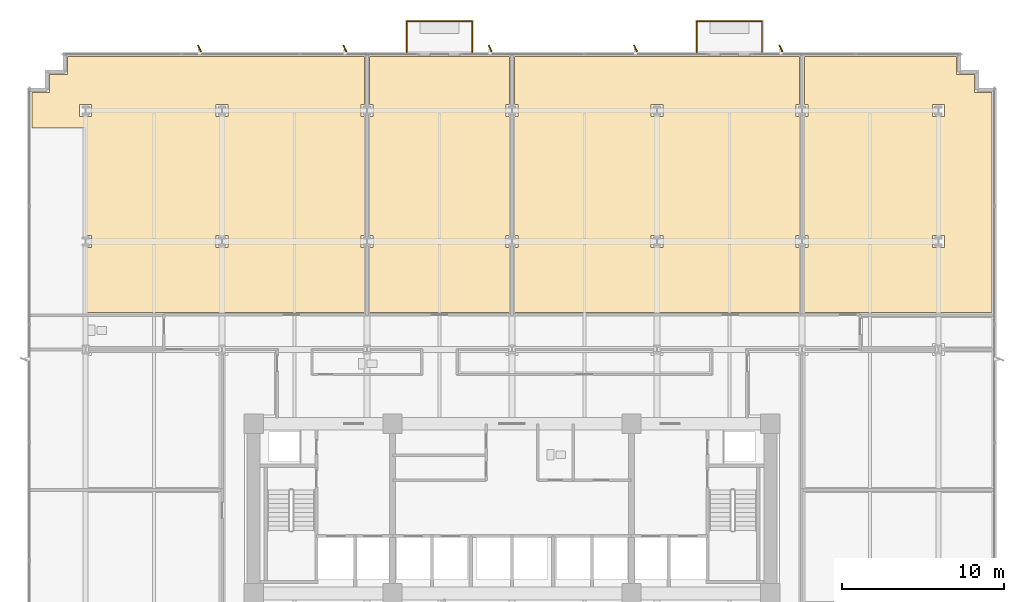
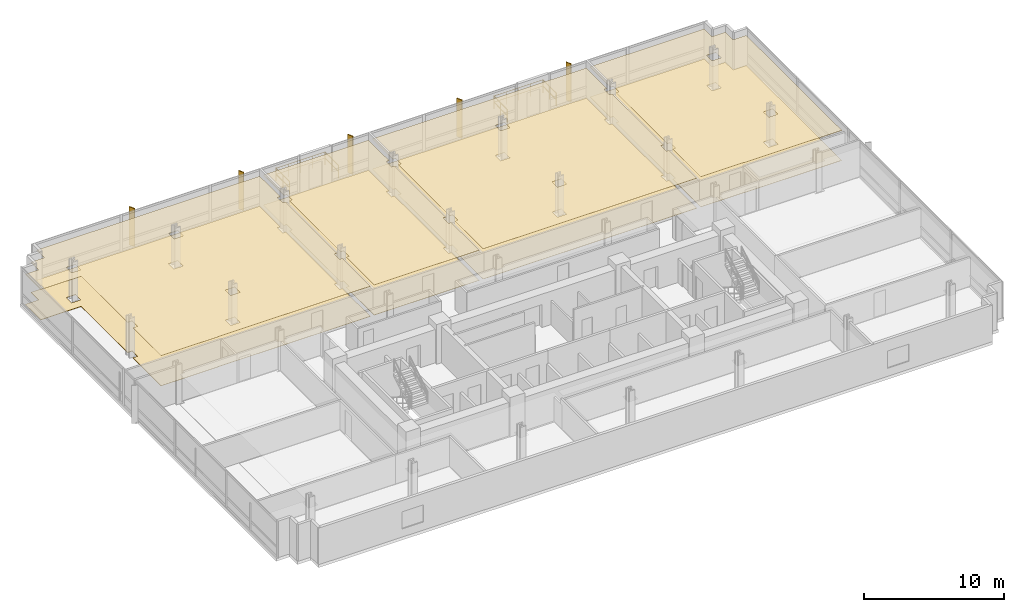
# One storey, part 13 of 14: 8 coverings, 6 railings, 5 shading devices.
"""IFC4 building model written with IfcOpenShell, lengths in metres."""

from ifc_helpers import new_model, si_unit, direction, frame, origin, origin_2d, place, context, subcontext, project, spatial, polyline, rectangle, circle, outline, extrude, material, layer, layer_set, type_object, element, save


model = new_model("IFC4")

# Units and contexts
model_context = context("Model", 3, precision=1e-05, world=origin(), true_north=direction((0.0, 1.0)))
body_context = subcontext(model_context, "Body", "Model", "MODEL_VIEW")
ifc_project = project(units=[si_unit("LENGTHUNIT", "METRE"), si_unit("AREAUNIT", "SQUARE_METRE"), si_unit("VOLUMEUNIT", "CUBIC_METRE"), si_unit("PLANEANGLEUNIT", "RADIAN"), si_unit("MASSUNIT", "GRAM", prefix="KILO")], contexts=[model_context])

# Site, building, storey
site_placement = place(None, origin())
site = spatial("IfcSite", under=ifc_project, at=site_placement, CompositionType="ELEMENT")
building_placement = place(site_placement, origin())
building = spatial("IfcBuilding", under=site, at=building_placement, Name="Solmavex Isthmus Hotel", CompositionType="ELEMENT")
storey_placement = place(building_placement, frame((0.0, 0.0, 50.550048828125)))
storey = spatial("IfcBuildingStorey", under=building, at=storey_placement, Name="L13", CompositionType="ELEMENT", Elevation=50.550048828125)

# Coverings
ifc_material_1 = material(Name="Gypsum plasterboard lining", Category="gypsum")
ifc_layer_1 = layer(ifc_material_1, 0.030029296875)
ifc_layer_set_1 = layer_set([ifc_layer_1], Name="Gypsum plasterboard lining")
covering_type_1 = type_object("IfcCoveringType", Name="COV-CEIL-GYP", PredefinedType="CEILING", material=ifc_layer_set_1)
covering_1_placement = place(storey_placement, frame((0.0, 0.0, 2.619873046875)))
element("IfcCovering", 1, at=covering_1_placement, inside=storey, type_object=covering_type_1, Name="Suspended Acoustic Ceiling L13-RM01", PredefinedType="CEILING", context=body_context, shape_type="SweptSolid", body=[
    extrude(outline(polyline([(-21.70703125, 4.385009765625), (-21.70703125, 4.405029296875), (-9.131103515625, 4.405029296875), (-9.131103515625, 8.407958984375), (-9.35595703125, 8.407958984375), (-9.35595703125, 9.16796875), (-9.131103515625, 9.16796875), (-9.131103515625, 16.52001953125), (-9.35595703125, 16.52001953125), (-9.35595703125, 17.280029296875), (-9.131103515625, 17.280029296875), (-9.131103515625, 20.22509765625), (-27.52490234375, 20.22509765625), (-27.52490234375, 19.125), (-28.625, 19.125), (-28.625, 18.02490234375), (-29.72509765625, 18.02490234375), (-29.72509765625, 15.800048828125), (-26.39990234375, 15.800048828125), (-26.39990234375, 9.16796875), (-26.02001953125, 9.16796875), (-26.02001953125, 8.407958984375), (-26.39990234375, 8.407958984375), (-26.39990234375, 4.385009765625), (-21.70703125, 4.385009765625)]), holes=[polyline([(-18.33203125, 8.407958984375), (-18.33203125, 9.16796875), (-17.572021484375, 9.16796875), (-17.572021484375, 8.407958984375), (-18.33203125, 8.407958984375)]), polyline([(-18.33203125, 17.280029296875), (-17.572021484375, 17.280029296875), (-17.572021484375, 16.52001953125), (-18.33203125, 16.52001953125), (-18.33203125, 17.280029296875)]), polyline([(-26.780029296875, 17.280029296875), (-26.02001953125, 17.280029296875), (-26.02001953125, 16.52001953125), (-26.780029296875, 16.52001953125), (-26.780029296875, 17.280029296875)])]), origin(), (0.0, 0.0, 1.0), 0.030029296875),
])
covering_2_placement = place(storey_placement, frame((0.0, 0.0, 2.619873046875)))
element("IfcCovering", 2, at=covering_2_placement, inside=storey, type_object=covering_type_1, Name="Suspended Acoustic Ceiling L13-RM02", PredefinedType="CEILING", context=body_context, shape_type="SweptSolid", body=[
    extrude(outline(polyline([(-8.821044921875, 9.16796875), (-8.595947265625, 9.16796875), (-8.595947265625, 8.407958984375), (-8.821044921875, 8.407958984375), (-8.821044921875, 4.405029296875), (-0.155029296875, 4.405029296875), (-0.155029296875, 8.407958984375), (-0.3798828125, 8.407958984375), (-0.3798828125, 9.16796875), (-0.155029296875, 9.16796875), (-0.155029296875, 16.52001953125), (-0.3798828125, 16.52001953125), (-0.3798828125, 17.280029296875), (-0.155029296875, 17.280029296875), (-0.155029296875, 20.22509765625), (-8.821044921875, 20.22509765625), (-8.821044921875, 17.280029296875), (-8.595947265625, 17.280029296875), (-8.595947265625, 16.52001953125), (-8.821044921875, 16.52001953125), (-8.821044921875, 9.16796875)])), origin(), (0.0, 0.0, 1.0), 0.030029296875),
])
covering_3_placement = place(storey_placement, frame((0.0, 0.0, 2.619873046875)))
element("IfcCovering", 3, at=covering_3_placement, inside=storey, type_object=covering_type_1, Name="Suspended Acoustic Ceiling L13-RM03", PredefinedType="CEILING", context=body_context, shape_type="SweptSolid", body=[
    extrude(outline(polyline([(0.155029296875, 9.16796875), (0.3798828125, 9.16796875), (0.3798828125, 8.407958984375), (0.155029296875, 8.407958984375), (0.155029296875, 4.405029296875), (17.797119140625, 4.405029296875), (17.797119140625, 8.407958984375), (17.572021484375, 8.407958984375), (17.572021484375, 9.16796875), (17.797119140625, 9.16796875), (17.797119140625, 16.52001953125), (17.572021484375, 16.52001953125), (17.572021484375, 17.280029296875), (17.797119140625, 17.280029296875), (17.797119140625, 20.22509765625), (0.155029296875, 20.22509765625), (0.155029296875, 17.280029296875), (0.3798828125, 17.280029296875), (0.3798828125, 16.52001953125), (0.155029296875, 16.52001953125), (0.155029296875, 9.16796875)]), holes=[polyline([(8.595947265625, 8.407958984375), (8.595947265625, 9.16796875), (9.35595703125, 9.16796875), (9.35595703125, 8.407958984375), (8.595947265625, 8.407958984375)]), polyline([(8.595947265625, 17.280029296875), (9.35595703125, 17.280029296875), (9.35595703125, 16.52001953125), (8.595947265625, 16.52001953125), (8.595947265625, 17.280029296875)])]), origin(), (0.0, 0.0, 1.0), 0.030029296875),
])
covering_4_placement = place(storey_placement, frame((0.0, 0.0, 2.619873046875)))
element("IfcCovering", 4, at=covering_4_placement, inside=storey, type_object=covering_type_1, Name="Suspended Acoustic Ceiling L13-RM04", PredefinedType="CEILING", context=body_context, shape_type="SweptSolid", body=[
    extrude(outline(polyline([(18.10693359375, 9.16796875), (18.33203125, 9.16796875), (18.33203125, 8.407958984375), (18.10693359375, 8.407958984375), (18.10693359375, 4.405029296875), (21.70703125, 4.405029296875), (21.70703125, 4.385009765625), (29.72509765625, 4.385009765625), (29.72509765625, 18.02490234375), (28.625, 18.02490234375), (28.625, 19.125), (27.52490234375, 19.125), (27.52490234375, 20.22509765625), (18.10693359375, 20.22509765625), (18.10693359375, 17.280029296875), (18.33203125, 17.280029296875), (18.33203125, 16.52001953125), (18.10693359375, 16.52001953125), (18.10693359375, 9.16796875)]), holes=[polyline([(26.02001953125, 8.407958984375), (26.02001953125, 9.16796875), (26.780029296875, 9.16796875), (26.780029296875, 8.407958984375), (26.02001953125, 8.407958984375)]), polyline([(26.02001953125, 16.52001953125), (26.02001953125, 17.280029296875), (26.780029296875, 17.280029296875), (26.780029296875, 16.52001953125), (26.02001953125, 16.52001953125)])]), origin(), (0.0, 0.0, 1.0), 0.030029296875),
])
ifc_material_2 = material(Name="Travertine natural stone", Category="masonry")
ifc_layer_2 = layer(ifc_material_2, 0.02490234375)
ifc_layer_set_2 = layer_set([ifc_layer_2], Name="Travertine natural stone")
covering_type_2 = type_object("IfcCoveringType", Name="COV-FLOR-STN", PredefinedType="FLOORING", material=ifc_layer_set_2)
covering_5_placement = place(storey_placement, origin())
element("IfcCovering", 5, at=covering_5_placement, inside=storey, type_object=covering_type_2, Name="Stone and Timber Floor Finish L13-RM01", PredefinedType="FLOORING", context=body_context, shape_type="SweptSolid", body=[
    extrude(outline(polyline([(-21.70703125, 4.385009765625), (-21.70703125, 4.405029296875), (-9.131103515625, 4.405029296875), (-9.131103515625, 8.407958984375), (-9.35595703125, 8.407958984375), (-9.35595703125, 9.16796875), (-9.131103515625, 9.16796875), (-9.131103515625, 16.52001953125), (-9.35595703125, 16.52001953125), (-9.35595703125, 17.280029296875), (-9.131103515625, 17.280029296875), (-9.131103515625, 20.22509765625), (-27.52490234375, 20.22509765625), (-27.52490234375, 19.125), (-28.625, 19.125), (-28.625, 18.02490234375), (-29.72509765625, 18.02490234375), (-29.72509765625, 15.800048828125), (-26.39990234375, 15.800048828125), (-26.39990234375, 9.16796875), (-26.02001953125, 9.16796875), (-26.02001953125, 8.407958984375), (-26.39990234375, 8.407958984375), (-26.39990234375, 4.385009765625), (-21.70703125, 4.385009765625)]), holes=[polyline([(-18.33203125, 8.407958984375), (-18.33203125, 9.16796875), (-17.572021484375, 9.16796875), (-17.572021484375, 8.407958984375), (-18.33203125, 8.407958984375)]), polyline([(-18.33203125, 17.280029296875), (-17.572021484375, 17.280029296875), (-17.572021484375, 16.52001953125), (-18.33203125, 16.52001953125), (-18.33203125, 17.280029296875)]), polyline([(-26.780029296875, 17.280029296875), (-26.02001953125, 17.280029296875), (-26.02001953125, 16.52001953125), (-26.780029296875, 16.52001953125), (-26.780029296875, 17.280029296875)])]), origin(), (0.0, 0.0, 1.0), 0.02490234375),
])
covering_6_placement = place(storey_placement, origin())
element("IfcCovering", 6, at=covering_6_placement, inside=storey, type_object=covering_type_2, Name="Stone and Timber Floor Finish L13-RM02", PredefinedType="FLOORING", context=body_context, shape_type="SweptSolid", body=[
    extrude(outline(polyline([(-8.821044921875, 9.16796875), (-8.595947265625, 9.16796875), (-8.595947265625, 8.407958984375), (-8.821044921875, 8.407958984375), (-8.821044921875, 4.405029296875), (-0.155029296875, 4.405029296875), (-0.155029296875, 8.407958984375), (-0.3798828125, 8.407958984375), (-0.3798828125, 9.16796875), (-0.155029296875, 9.16796875), (-0.155029296875, 16.52001953125), (-0.3798828125, 16.52001953125), (-0.3798828125, 17.280029296875), (-0.155029296875, 17.280029296875), (-0.155029296875, 20.22509765625), (-8.821044921875, 20.22509765625), (-8.821044921875, 17.280029296875), (-8.595947265625, 17.280029296875), (-8.595947265625, 16.52001953125), (-8.821044921875, 16.52001953125), (-8.821044921875, 9.16796875)])), origin(), (0.0, 0.0, 1.0), 0.02490234375),
])
covering_7_placement = place(storey_placement, origin())
element("IfcCovering", 7, at=covering_7_placement, inside=storey, type_object=covering_type_2, Name="Stone and Timber Floor Finish L13-RM03", PredefinedType="FLOORING", context=body_context, shape_type="SweptSolid", body=[
    extrude(outline(polyline([(0.155029296875, 9.16796875), (0.3798828125, 9.16796875), (0.3798828125, 8.407958984375), (0.155029296875, 8.407958984375), (0.155029296875, 4.405029296875), (17.797119140625, 4.405029296875), (17.797119140625, 8.407958984375), (17.572021484375, 8.407958984375), (17.572021484375, 9.16796875), (17.797119140625, 9.16796875), (17.797119140625, 16.52001953125), (17.572021484375, 16.52001953125), (17.572021484375, 17.280029296875), (17.797119140625, 17.280029296875), (17.797119140625, 20.22509765625), (0.155029296875, 20.22509765625), (0.155029296875, 17.280029296875), (0.3798828125, 17.280029296875), (0.3798828125, 16.52001953125), (0.155029296875, 16.52001953125), (0.155029296875, 9.16796875)]), holes=[polyline([(8.595947265625, 8.407958984375), (8.595947265625, 9.16796875), (9.35595703125, 9.16796875), (9.35595703125, 8.407958984375), (8.595947265625, 8.407958984375)]), polyline([(8.595947265625, 17.280029296875), (9.35595703125, 17.280029296875), (9.35595703125, 16.52001953125), (8.595947265625, 16.52001953125), (8.595947265625, 17.280029296875)])]), origin(), (0.0, 0.0, 1.0), 0.02490234375),
])
covering_8_placement = place(storey_placement, origin())
element("IfcCovering", 8, at=covering_8_placement, inside=storey, type_object=covering_type_2, Name="Stone and Timber Floor Finish L13-RM04", PredefinedType="FLOORING", context=body_context, shape_type="SweptSolid", body=[
    extrude(outline(polyline([(18.10693359375, 9.16796875), (18.33203125, 9.16796875), (18.33203125, 8.407958984375), (18.10693359375, 8.407958984375), (18.10693359375, 4.405029296875), (21.70703125, 4.405029296875), (21.70703125, 4.385009765625), (29.72509765625, 4.385009765625), (29.72509765625, 18.02490234375), (28.625, 18.02490234375), (28.625, 19.125), (27.52490234375, 19.125), (27.52490234375, 20.22509765625), (18.10693359375, 20.22509765625), (18.10693359375, 17.280029296875), (18.33203125, 17.280029296875), (18.33203125, 16.52001953125), (18.10693359375, 16.52001953125), (18.10693359375, 9.16796875)]), holes=[polyline([(26.02001953125, 8.407958984375), (26.02001953125, 9.16796875), (26.780029296875, 9.16796875), (26.780029296875, 8.407958984375), (26.02001953125, 8.407958984375)]), polyline([(26.02001953125, 16.52001953125), (26.02001953125, 17.280029296875), (26.780029296875, 17.280029296875), (26.780029296875, 16.52001953125), (26.02001953125, 16.52001953125)])]), origin(), (0.0, 0.0, 1.0), 0.02490234375),
])

# Railings
ifc_material_3 = material(Name="Clear low-E laminated glass", Category="glass")
ifc_layer_3 = layer(ifc_material_3, 0.070068359375)
ifc_layer_set_3 = layer_set([ifc_layer_3], Name="Clear low-E laminated glass")
railing_type = type_object("IfcRailingType", Name="RAIL-GUARD-1100", PredefinedType="BALUSTRADE", material=ifc_layer_set_3)
railing_1_placement = place(storey_placement, frame((-6.508056640625, 20.5, 0.0)))
element("IfcRailing", 9, at=railing_1_placement, inside=storey, type_object=railing_type, Name="Guardrail Balustrade L13-BAL1-01", PredefinedType="BALUSTRADE", context=body_context, shape_type="SweptSolid", body=[
    extrude(circle(Radius=0.02392578125, at=origin_2d()), frame((0.0, 0.0, 1.09619140625), z_axis=(0.0, 1.0, 0.0), x_axis=(-1.0, 0.0, 0.0)), (0.0, 0.0, 1.0), 1.919921875),
    extrude(circle(Radius=0.02392578125, at=origin_2d()), frame((0.0, 0.0, 0.56005859375), z_axis=(0.0, 1.0, 0.0), x_axis=(-1.0, 0.0, 0.0)), (0.0, 0.0, 1.0), 1.919921875),
    extrude(circle(Radius=0.02099609375, at=origin_2d()), origin(), (0.0, 0.0, 1.0), 1.072021484375),
    extrude(circle(Radius=0.02099609375, at=origin_2d()), frame((0.0, 0.9599609375, 0.0)), (0.0, 0.0, 1.0), 1.072021484375),
    extrude(circle(Radius=0.02099609375, at=origin_2d()), frame((0.0, 1.919921875, 0.0)), (0.0, 0.0, 1.0), 1.072021484375),
])
railing_2_placement = place(storey_placement, frame((-6.508056640625, 22.419921875, 0.0)))
element("IfcRailing", 10, at=railing_2_placement, inside=storey, type_object=railing_type, Name="Guardrail Balustrade L13-BAL1-02", PredefinedType="BALUSTRADE", context=body_context, shape_type="SweptSolid", body=[
    extrude(circle(Radius=0.02392578125, at=origin_2d()), frame((0.0, 0.0, 1.09619140625), z_axis=(1.0, 0.0, 0.0), x_axis=(0.0, 1.0, 0.0)), (0.0, 0.0, 1.0), 4.0400390625),
    extrude(circle(Radius=0.02392578125, at=origin_2d()), frame((0.0, 0.0, 0.56005859375), z_axis=(1.0, 0.0, 0.0), x_axis=(0.0, 1.0, 0.0)), (0.0, 0.0, 1.0), 4.0400390625),
    extrude(circle(Radius=0.02099609375, at=origin_2d()), origin(), (0.0, 0.0, 1.0), 1.072021484375),
    extrude(circle(Radius=0.02099609375, at=origin_2d()), frame((1.010009765625, 0.0, 0.0)), (0.0, 0.0, 1.0), 1.072021484375),
    extrude(circle(Radius=0.02099609375, at=origin_2d()), frame((2.02001953125, 0.0, 0.0)), (0.0, 0.0, 1.0), 1.072021484375),
    extrude(circle(Radius=0.02099609375, at=origin_2d()), frame((3.030029296875, 0.0, 0.0)), (0.0, 0.0, 1.0), 1.072021484375),
    extrude(circle(Radius=0.02099609375, at=origin_2d()), frame((4.0400390625, 0.0, 0.0)), (0.0, 0.0, 1.0), 1.072021484375),
])
railing_3_placement = place(storey_placement, frame((-2.468017578125, 22.419921875, 0.0)))
element("IfcRailing", 11, at=railing_3_placement, inside=storey, type_object=railing_type, Name="Guardrail Balustrade L13-BAL1-03", PredefinedType="BALUSTRADE", context=body_context, shape_type="SweptSolid", body=[
    extrude(circle(Radius=0.02392578125, at=origin_2d()), frame((0.0, 0.0, 1.09619140625), z_axis=(0.0, -1.0, 0.0), x_axis=(1.0, 0.0, 0.0)), (0.0, 0.0, 1.0), 1.919921875),
    extrude(circle(Radius=0.02392578125, at=origin_2d()), frame((0.0, 0.0, 0.56005859375), z_axis=(0.0, -1.0, 0.0), x_axis=(1.0, 0.0, 0.0)), (0.0, 0.0, 1.0), 1.919921875),
    extrude(circle(Radius=0.02099609375, at=origin_2d()), origin(), (0.0, 0.0, 1.0), 1.072021484375),
    extrude(circle(Radius=0.02099609375, at=origin_2d()), frame((0.0, -0.9599609375, 0.0)), (0.0, 0.0, 1.0), 1.072021484375),
    extrude(circle(Radius=0.02099609375, at=origin_2d()), frame((0.0, -1.919921875, 0.0)), (0.0, 0.0, 1.0), 1.072021484375),
])
railing_4_placement = place(storey_placement, frame((11.444091796875, 20.5, 0.0)))
element("IfcRailing", 12, at=railing_4_placement, inside=storey, type_object=railing_type, Name="Guardrail Balustrade L13-BAL2-01", PredefinedType="BALUSTRADE", context=body_context, shape_type="SweptSolid", body=[
    extrude(circle(Radius=0.02392578125, at=origin_2d()), frame((0.0, 0.0, 1.09619140625), z_axis=(0.0, 1.0, 0.0), x_axis=(-1.0, 0.0, 0.0)), (0.0, 0.0, 1.0), 1.919921875),
    extrude(circle(Radius=0.02392578125, at=origin_2d()), frame((0.0, 0.0, 0.56005859375), z_axis=(0.0, 1.0, 0.0), x_axis=(-1.0, 0.0, 0.0)), (0.0, 0.0, 1.0), 1.919921875),
    extrude(circle(Radius=0.02099609375, at=origin_2d()), origin(), (0.0, 0.0, 1.0), 1.072021484375),
    extrude(circle(Radius=0.02099609375, at=origin_2d()), frame((0.0, 0.9599609375, 0.0)), (0.0, 0.0, 1.0), 1.072021484375),
    extrude(circle(Radius=0.02099609375, at=origin_2d()), frame((0.0, 1.919921875, 0.0)), (0.0, 0.0, 1.0), 1.072021484375),
])
railing_5_placement = place(storey_placement, frame((11.444091796875, 22.419921875, 0.0)))
element("IfcRailing", 13, at=railing_5_placement, inside=storey, type_object=railing_type, Name="Guardrail Balustrade L13-BAL2-02", PredefinedType="BALUSTRADE", context=body_context, shape_type="SweptSolid", body=[
    extrude(circle(Radius=0.02392578125, at=origin_2d()), frame((0.0, 0.0, 1.09619140625), z_axis=(1.0, 0.0, 0.0), x_axis=(0.0, 1.0, 0.0)), (0.0, 0.0, 1.0), 4.039794921875),
    extrude(circle(Radius=0.02392578125, at=origin_2d()), frame((0.0, 0.0, 0.56005859375), z_axis=(1.0, 0.0, 0.0), x_axis=(0.0, 1.0, 0.0)), (0.0, 0.0, 1.0), 4.039794921875),
    extrude(circle(Radius=0.02099609375, at=origin_2d()), origin(), (0.0, 0.0, 1.0), 1.072021484375),
    extrude(circle(Radius=0.02099609375, at=origin_2d()), frame((1.010009765625, 0.0, 0.0)), (0.0, 0.0, 1.0), 1.072021484375),
    extrude(circle(Radius=0.02099609375, at=origin_2d()), frame((2.02001953125, 0.0, 0.0)), (0.0, 0.0, 1.0), 1.072021484375),
    extrude(circle(Radius=0.02099609375, at=origin_2d()), frame((3.02978515625, 0.0, 0.0)), (0.0, 0.0, 1.0), 1.072021484375),
    extrude(circle(Radius=0.02099609375, at=origin_2d()), frame((4.039794921875, 0.0, 0.0)), (0.0, 0.0, 1.0), 1.072021484375),
])
railing_6_placement = place(storey_placement, frame((15.48388671875, 22.419921875, 0.0)))
element("IfcRailing", 14, at=railing_6_placement, inside=storey, type_object=railing_type, Name="Guardrail Balustrade L13-BAL2-03", PredefinedType="BALUSTRADE", context=body_context, shape_type="SweptSolid", body=[
    extrude(circle(Radius=0.02392578125, at=origin_2d()), frame((0.0, 0.0, 1.09619140625), z_axis=(0.0, -1.0, 0.0), x_axis=(1.0, 0.0, 0.0)), (0.0, 0.0, 1.0), 1.919921875),
    extrude(circle(Radius=0.02392578125, at=origin_2d()), frame((0.0, 0.0, 0.56005859375), z_axis=(0.0, -1.0, 0.0), x_axis=(1.0, 0.0, 0.0)), (0.0, 0.0, 1.0), 1.919921875),
    extrude(circle(Radius=0.02099609375, at=origin_2d()), origin(), (0.0, 0.0, 1.0), 1.072021484375),
    extrude(circle(Radius=0.02099609375, at=origin_2d()), frame((0.0, -0.9599609375, 0.0)), (0.0, 0.0, 1.0), 1.072021484375),
    extrude(circle(Radius=0.02099609375, at=origin_2d()), frame((0.0, -1.919921875, 0.0)), (0.0, 0.0, 1.0), 1.072021484375),
])

# Shading devices
ifc_material_4 = material(Name="Aluminium alloy 6063-T6", Category="aluminium")
shading_device_type = type_object("IfcShadingDeviceType", Name="SHD-FIN-BRONZE", PredefinedType="USERDEFINED", material=ifc_material_4)
for number, where, z_axis, x_axis, name in (
    (15, (-19.35009765625, 20.739990234375, -0.14013671875), (0.0, 0.0, 1.0), (-0.438371146789, 0.898794046299, 0.0), "Anodised Aluminium Solar Fin L13-N1"),
    (16, (-10.35009765625, 20.739990234375, -0.14013671875), (0.0, 0.0, 1.0), (-0.438371146789, 0.898794046299, 0.0), "Anodised Aluminium Solar Fin L13-N2"),
    (17, (-1.35009765625, 20.739990234375, -0.14013671875), (0.0, 0.0, 1.0), (-0.438371146789, 0.898794046299, 0.0), "Anodised Aluminium Solar Fin L13-N3"),
    (18, (7.64990234375, 20.739990234375, -0.14013671875), (0.0, 0.0, 1.0), (-0.438371146789, 0.898794046299, 0.0), "Anodised Aluminium Solar Fin L13-N4"),
    (19, (16.64990234375, 20.739990234375, -0.14013671875), (0.0, 0.0, 1.0), (-0.438371146789, 0.898794046299, 0.0), "Anodised Aluminium Solar Fin L13-N5"),
):
    element("IfcShadingDevice", number, at=place(storey_placement, frame(where, z_axis=z_axis, x_axis=x_axis)), inside=storey, type_object=shading_device_type, Name=name, ObjectType="SOLAR_FIN", PredefinedType="USERDEFINED", context=body_context, shape_type="SweptSolid", body=[
        extrude(rectangle(XDim=0.449951171875, YDim=0.080078125, at=origin_2d()), origin(), (0.0, 0.0, 1.0), 3.330078125),
    ])

save(model, "model.ifc")
